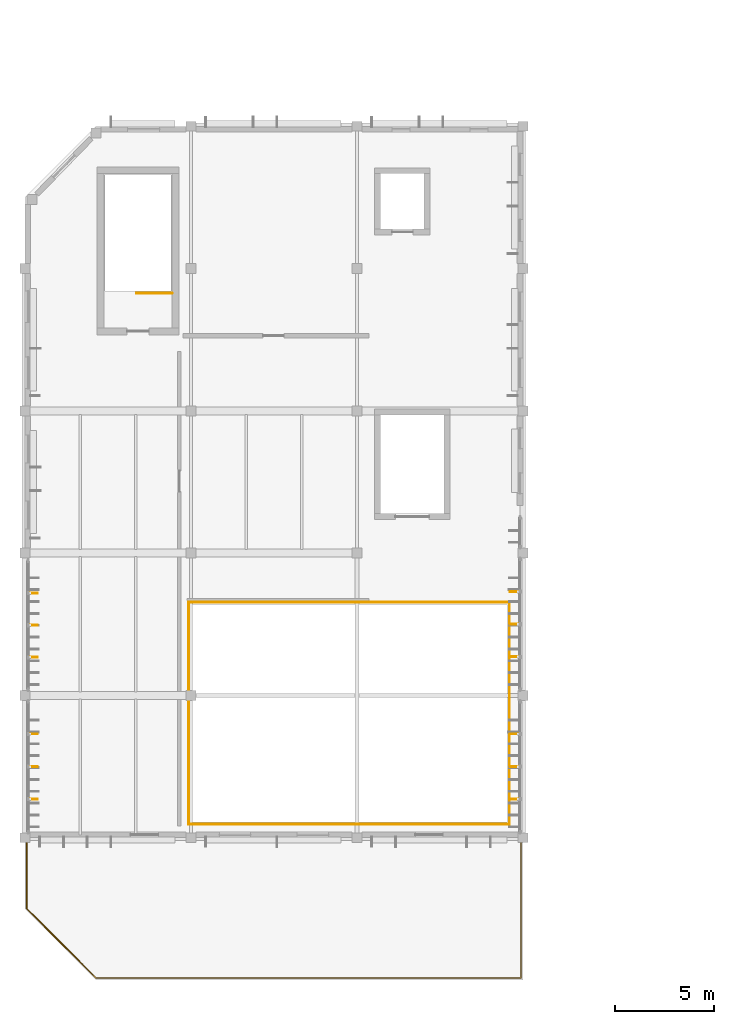
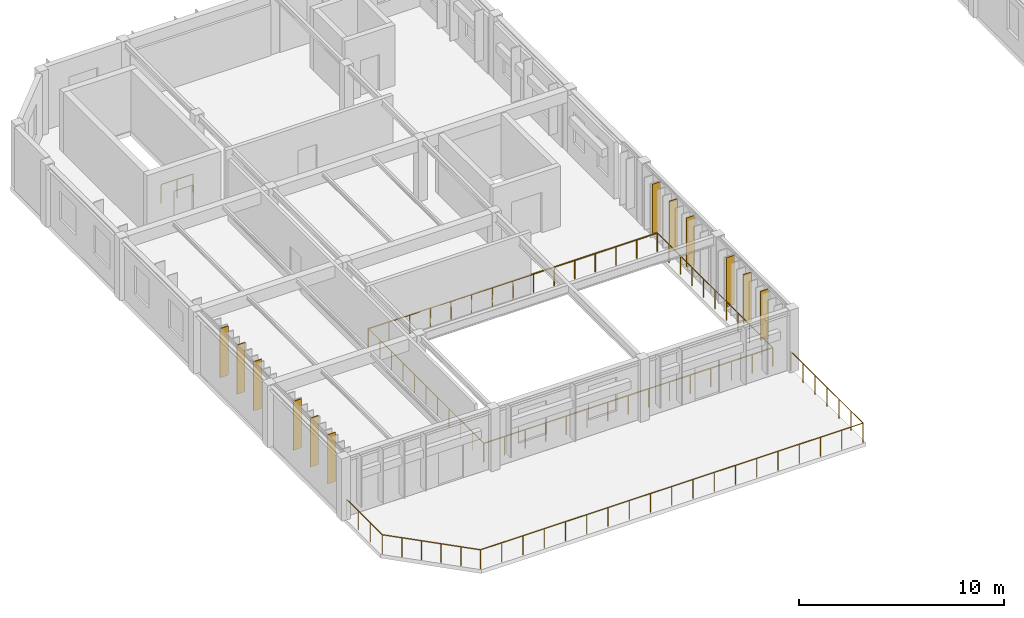
# One storey, part 38 of 44: 12 shading devices, 6 railings.
"""IFC4 building model written with IfcOpenShell, lengths in metres."""

import ifcopenshell
import ifcopenshell.guid

model = None  # the IFC model being written
_history = None  # IfcOwnerHistory: only IFC2X3 demands one
_inside = {}  # id of a spatial element -> (the spatial element, [elements in it])
_under = {}  # id of a project, library or spatial element -> (it, [spatial elements below it])
_declared = {}  # id of a project -> (the project, [libraries it declares])
_typed = {}  # id of a type object -> (the type object, [elements of that type])
_made_of = {}  # id of a material, layer set ... -> (it, [elements and type objects made of it])


def new_model(schema):
    """Start an empty IFC model of exactly this schema.

    Asked for "IFC4X3", IfcOpenShell would pick the latest addendum, in which some entities
    have other attributes; the version numbers below select the first issue.
    IFC2X3 requires an IfcOwnerHistory on every rooted entity: one is made here for all.
    """
    global model, _history
    if schema == "IFC4X3":
        model = ifcopenshell.file(schema_version=(4, 3, 0, 0))
    else:
        model = ifcopenshell.file(schema=schema)
    _inside.clear()
    _under.clear()
    _declared.clear()
    _typed.clear()
    _made_of.clear()
    _history = None
    if model.schema == "IFC2X3":
        org = make("IfcOrganization", Name="unknown")
        user = make(
            "IfcPersonAndOrganization",
            ThePerson=make("IfcPerson", FamilyName="unknown"),
            TheOrganization=org,
        )
        app = make(
            "IfcApplication",
            ApplicationDeveloper=org,
            Version="unknown",
            ApplicationFullName="unknown",
            ApplicationIdentifier="unknown",
        )
        _history = make(
            "IfcOwnerHistory",
            OwningUser=user,
            OwningApplication=app,
            ChangeAction="ADDED",
            CreationDate=0,
        )
    return model


def make(cls, **values):
    """One entity of the class cls with the attributes given. An attribute that is None is left unset."""
    return model.create_entity(
        cls, **{name: value for name, value in values.items() if value is not None}
    )


def rooted(cls, **values):
    """An entity with a GlobalId (a new one), such as an element, a storey or a relation."""
    return make(cls, GlobalId=ifcopenshell.guid.new(), OwnerHistory=_history, **values)


def si_unit(unit_type, name, prefix=None):
    """IfcSIUnit, for example si_unit("LENGTHUNIT", "METRE", prefix="MILLI")."""
    return make("IfcSIUnit", UnitType=unit_type, Prefix=prefix, Name=name)


def assignment(units):
    """IfcUnitAssignment: the units of a project."""
    return None if units is None else make("IfcUnitAssignment", Units=units)


def point(xyz):
    """IfcCartesianPoint."""
    return None if xyz is None else make("IfcCartesianPoint", Coordinates=xyz)


def direction(xyz):
    """IfcDirection."""
    return None if xyz is None else make("IfcDirection", DirectionRatios=xyz)


def frame(location, z_axis=None, x_axis=None):
    """IfcAxis2Placement3D, a coordinate frame: its origin and axes. An axis left out is left unset."""
    return make(
        "IfcAxis2Placement3D",
        Location=point(location),
        Axis=direction(z_axis),
        RefDirection=direction(x_axis),
    )


def frame_2d(location, x_axis=None):
    """IfcAxis2Placement2D, a coordinate frame in the plane: its origin and x axis."""
    return make(
        "IfcAxis2Placement2D", Location=point(location), RefDirection=direction(x_axis)
    )


def origin():
    """The frame at (0, 0, 0) with its axes left unset."""
    return frame((0.0, 0.0, 0.0))


def origin_2d():
    """The frame at (0, 0) in the plane with its x axis left unset."""
    return frame_2d((0.0, 0.0))


def place(relative_to, where):
    """IfcLocalPlacement: puts the frame where relative to a parent placement (None: the world)."""
    return make(
        "IfcLocalPlacement", PlacementRelTo=relative_to, RelativePlacement=where
    )


def context(
    kind, dimensions, precision=None, world=None, true_north=None, identifier=None
):
    """IfcGeometricRepresentationContext, for example the 3D "Model" context."""
    return make(
        "IfcGeometricRepresentationContext",
        ContextIdentifier=identifier,
        ContextType=kind,
        CoordinateSpaceDimension=dimensions,
        Precision=precision,
        WorldCoordinateSystem=world,
        TrueNorth=true_north,
    )


def subcontext(parent, identifier, kind, view, scale=None):
    """IfcGeometricRepresentationSubContext, for example "Body" below "Model"."""
    return make(
        "IfcGeometricRepresentationSubContext",
        ContextIdentifier=identifier,
        ContextType=kind,
        ParentContext=parent,
        TargetScale=scale,
        TargetView=view,
    )


def project(units=None, contexts=None):
    """IfcProject with its units and contexts."""
    return rooted(
        "IfcProject",
        Name="project",
        RepresentationContexts=contexts,
        UnitsInContext=assignment(units),
    )


def spatial(cls, under=None, at=None, **own):
    """A site, building, storey or space (cls), placed at a placement, below another one or the project."""
    s = rooted(cls, ObjectPlacement=at, **own)
    if under is not None:
        _under.setdefault(under.id(), (under, []))[1].append(s)
    return s


def profile(cls, at=None, kind="AREA", **sizes):
    """A parametric profile (cls). Its sizes go by their IFC names, for example OverallWidth=200.0."""
    return make(cls, ProfileType=kind, Position=at, **sizes)


def rectangle(**sizes):
    """IfcRectangleProfileDef."""
    return profile("IfcRectangleProfileDef", **sizes)


def circle(**sizes):
    """IfcCircleProfileDef."""
    return profile("IfcCircleProfileDef", **sizes)


def extrude(swept, where, along, depth):
    """IfcExtrudedAreaSolid: the profile swept, set in the frame where, extruded along a direction by depth."""
    return make(
        "IfcExtrudedAreaSolid",
        SweptArea=swept,
        Position=where,
        ExtrudedDirection=direction(along),
        Depth=depth,
    )


def shape(context_of_items, identifier, shape_type, items):
    """IfcShapeRepresentation: the items that make up one representation, for example the "Body"."""
    return make(
        "IfcShapeRepresentation",
        ContextOfItems=context_of_items,
        RepresentationIdentifier=identifier,
        RepresentationType=shape_type,
        Items=items,
    )


def material(Name=None, Category=None):
    """IfcMaterial."""
    return make("IfcMaterial", Name=Name, Category=Category)


def layer(
    of_material, thickness, ventilated=None, Name=None, Category=None, Priority=None
):
    """IfcMaterialLayer: one layer of a wall or slab, of a material (None: an air gap)."""
    return make(
        "IfcMaterialLayer",
        Material=of_material,
        LayerThickness=thickness,
        IsVentilated=ventilated,
        Name=Name,
        Category=Category,
        Priority=Priority,
    )


def layer_set(layers, Name=None):
    """IfcMaterialLayerSet."""
    return make("IfcMaterialLayerSet", MaterialLayers=layers, LayerSetName=Name)


def material_profile(
    of_material, cross_section, Name=None, Category=None, Priority=None
):
    """IfcMaterialProfile: a cross section and its material."""
    return make(
        "IfcMaterialProfile",
        Name=Name,
        Material=of_material,
        Profile=cross_section,
        Priority=Priority,
        Category=Category,
    )


def profile_set(profiles, Name=None, composite=None):
    """IfcMaterialProfileSet."""
    return make(
        "IfcMaterialProfileSet",
        Name=Name,
        MaterialProfiles=profiles,
        CompositeProfile=composite,
    )


def made_of(thing, what):
    """Note that an element or type object is made of a material, layer set ...; save() writes the relation."""
    if what is not None:
        _made_of.setdefault(what.id(), (what, []))[1].append(thing)
    return thing


def type_object(cls, material=None, **own):
    """A type object (cls), such as IfcWallType, which elements share."""
    return made_of(rooted(cls, **own), material)


def element(
    cls,
    number,
    at=None,
    inside=None,
    cuts=None,
    type_object=None,
    material=None,
    context=None,
    identifier="Body",
    shape_type=None,
    held_by="IfcProductDefinitionShape",
    body=None,
    shapes=None,
    **own,
):
    """One element of the class cls, such as IfcWall. Its Tag is "e" and its number.

    at: its placement. inside: the storey or other place that contains it. cuts: it is an
    opening in that element (IfcRelVoidsElement). A single representation is given by context,
    identifier, shape_type and body (its items); several are given by shapes. held_by: the class
    of the entity that holds the representations. save() writes the other relations.
    """
    e = rooted(cls, Tag="e%d" % number, ObjectPlacement=at, **own)
    if body is not None:
        shapes = [shape(context, identifier, shape_type, body)]
    if shapes is not None:
        e.Representation = make(held_by, Representations=shapes)
    if inside is not None:
        _inside.setdefault(inside.id(), (inside, []))[1].append(e)
    if cuts is not None:
        rooted(
            "IfcRelVoidsElement", RelatingBuildingElement=cuts, RelatedOpeningElement=e
        )
    if type_object is not None:
        _typed.setdefault(type_object.id(), (type_object, []))[1].append(e)
    return made_of(e, material)


def aggregate(whole, parts):
    """IfcRelAggregates: a whole, such as a stair, and the parts it consists of."""
    return rooted("IfcRelAggregates", RelatingObject=whole, RelatedObjects=parts)


def save(model, path):
    """Write the relations noted so far, then the file.

    IfcRelAggregates (storeys below a building ...), IfcRelContainedInSpatialStructure (elements
    in a storey), IfcRelDefinesByType, IfcRelAssociatesMaterial and IfcRelDeclares: one each for
    every whole, place, type object, material and project.
    """
    for whole, parts in _under.values():
        aggregate(whole, parts)
    for where, things in _inside.values():
        rooted(
            "IfcRelContainedInSpatialStructure",
            RelatedElements=things,
            RelatingStructure=where,
        )
    for kind, things in _typed.values():
        rooted("IfcRelDefinesByType", RelatedObjects=things, RelatingType=kind)
    for what, things in _made_of.values():
        rooted("IfcRelAssociatesMaterial", RelatedObjects=things, RelatingMaterial=what)
    for by, libraries in _declared.values():
        rooted("IfcRelDeclares", RelatingContext=by, RelatedDefinitions=libraries)
    model.write(path)


model = new_model("IFC4")

# Units and contexts
model_context = context("Model", 3, precision=1e-05, world=origin(), true_north=direction((0.0, 1.0)))
body_context = subcontext(model_context, "Body", "Model", "MODEL_VIEW")
ifc_project = project(units=[si_unit("LENGTHUNIT", "METRE"), si_unit("AREAUNIT", "SQUARE_METRE"), si_unit("VOLUMEUNIT", "CUBIC_METRE"), si_unit("PLANEANGLEUNIT", "RADIAN"), si_unit("MASSUNIT", "GRAM", prefix="KILO")], contexts=[model_context])

# Site, building, storey
site_placement = place(None, origin())
site = spatial("IfcSite", under=ifc_project, at=site_placement, CompositionType="ELEMENT")
building_placement = place(site_placement, origin())
building = spatial("IfcBuilding", under=site, at=building_placement, Name="Tazoul Stagehouse", CompositionType="ELEMENT")
storey_placement = place(building_placement, frame((0.0, 0.0, 13.199951171875)))
storey = spatial("IfcBuildingStorey", under=building, at=storey_placement, Name="L03", CompositionType="ELEMENT", Elevation=13.199951171875)

# Shading devices
ifc_material_1 = material(Name="Anodised Bronze Aluminium 6063-T6", Category="aluminium")
ifc_layer_1 = layer(ifc_material_1, 0.050048828125, Name="Anodised Bronze Aluminium 6063-T6")
ifc_layer_set_1 = layer_set([ifc_layer_1], Name="Anodised Bronze Aluminium 6063-T6")
shading_device_type_1 = type_object("IfcShadingDeviceType", Name="Angled Acoustic Sun-Screen Blade 460", PredefinedType="USERDEFINED", material=ifc_layer_set_1)
for number, where, z_axis, x_axis, name in (
    (1, (2.830078125, 53.75, 0.739990234375), (0.0, 0.0, 1.0), (0.0, 1.0, 0.0), "Shading Louvre FIN-02 CW-V6-W1-L03-B1-SHD01"),
    (2, (2.830078125, 57.050048828125, 0.739990234375), (0.0, 0.0, 1.0), (0.0, 1.0, 0.0), "Shading Louvre FIN-02 CW-V6-W1-L03-B1-SHD03"),
    (3, (2.830078125, 60.925048828125, 0.739990234375), (0.0, 0.0, 1.0), (0.0, 1.0, 0.0), "Shading Louvre FIN-02 CW-V6-W1-L03-B2-SHD01"),
    (4, (2.830078125, 64.175048828125, 0.739990234375), (0.0, 0.0, 1.0), (0.0, 1.0, 0.0), "Shading Louvre FIN-02 CW-V6-W1-L03-B2-SHD03"),
    (5, (27.169921875, 53.75, 0.739990234375), (0.0, 0.0, 1.0), (0.0, 1.0, 0.0), "Shading Louvre FIN-02 CW-V6-E1-L03-B1-SHD01"),
    (6, (27.169921875, 57.050048828125, 0.739990234375), (0.0, 0.0, 1.0), (0.0, 1.0, 0.0), "Shading Louvre FIN-02 CW-V6-E1-L03-B1-SHD03"),
    (7, (27.169921875, 60.949951171875, 0.739990234375), (0.0, 0.0, 1.0), (0.0, 1.0, 0.0), "Shading Louvre FIN-02 CW-V6-E1-L03-B2-SHD01"),
    (8, (27.169921875, 64.25, 0.739990234375), (0.0, 0.0, 1.0), (0.0, 1.0, 0.0), "Shading Louvre FIN-02 CW-V6-E1-L03-B2-SHD03"),
):
    element("IfcShadingDevice", number, at=place(storey_placement, frame(where, z_axis=z_axis, x_axis=x_axis)), inside=storey, type_object=shading_device_type_1, Name=name, ObjectType="FIN", PredefinedType="USERDEFINED", context=body_context, shape_type="SweptSolid", body=[
        extrude(rectangle(XDim=0.044921875, YDim=0.4599609375, at=origin_2d()), origin(), (0.0, 0.0, 1.0), 2.919921875),
    ])

# Railings
ifc_material_2 = material(Name="Brushed Stainless Steel 316L", Category="steel")
ifc_material_profile_1 = material_profile(ifc_material_2, circle(Radius=0.02392578125, at=origin_2d()), Name="SS RAIL D48")
ifc_profile_set_1 = profile_set([ifc_material_profile_1], Name="Brushed Stainless Steel 316L")
railing_type_1 = type_object("IfcRailingType", Name="Architectural Guardrail H1120", PredefinedType="GUARDRAIL", material=ifc_profile_set_1)
railing_1_placement = place(storey_placement, frame((9.85009765625, 79.35009765625, 0.0)))
element("IfcRailing", 9, at=railing_1_placement, inside=storey, type_object=railing_type_1, Name="L03 ST-06 top well guard 1", PredefinedType="GUARDRAIL", context=body_context, shape_type="SweptSolid", body=[
    extrude(circle(Radius=0.02392578125, at=origin_2d()), frame((0.0, 0.0, 1.09619140625), z_axis=(-1.0, 0.0, 0.0), x_axis=(0.0, -1.0, 0.0)), (0.0, 0.0, 1.0), 1.800048828125),
    extrude(circle(Radius=0.02099609375, at=origin_2d()), origin(), (0.0, 0.0, 1.0), 1.072021484375),
    extrude(circle(Radius=0.02099609375, at=origin_2d()), frame((-0.89990234375, 0.0, 0.0)), (0.0, 0.0, 1.0), 1.072021484375),
    extrude(circle(Radius=0.02099609375, at=origin_2d()), frame((-1.800048828125, 0.0, 0.0)), (0.0, 0.0, 1.0), 1.072021484375),
])
railing_2_placement = place(storey_placement, frame((10.679931640625, 52.47998046875, 0.0)))
element("IfcRailing", 10, at=railing_2_placement, inside=storey, type_object=railing_type_1, Name="L03 Open-Edge Guard GRD-01 (GRD-VOID2-S1)", PredefinedType="GUARDRAIL", context=body_context, shape_type="SweptSolid", body=[
    extrude(circle(Radius=0.02392578125, at=origin_2d()), frame((0.0, 0.0, 1.09619140625), z_axis=(1.0, 0.0, 0.0), x_axis=(0.0, 1.0, 0.0)), (0.0, 0.0, 1.0), 16.239990234375),
    extrude(circle(Radius=0.02099609375, at=origin_2d()), origin(), (0.0, 0.0, 1.0), 1.072021484375),
    extrude(circle(Radius=0.02099609375, at=origin_2d()), frame((1.159912109375, 0.0, 0.0)), (0.0, 0.0, 1.0), 1.072021484375),
    extrude(circle(Radius=0.02099609375, at=origin_2d()), frame((2.320068359375, 0.0, 0.0)), (0.0, 0.0, 1.0), 1.072021484375),
    extrude(circle(Radius=0.02099609375, at=origin_2d()), frame((3.47998046875, 0.0, 0.0)), (0.0, 0.0, 1.0), 1.072021484375),
    extrude(circle(Radius=0.02099609375, at=origin_2d()), frame((4.639892578125, 0.0, 0.0)), (0.0, 0.0, 1.0), 1.072021484375),
    extrude(circle(Radius=0.02099609375, at=origin_2d()), frame((5.800048828125, 0.0, 0.0)), (0.0, 0.0, 1.0), 1.072021484375),
    extrude(circle(Radius=0.02099609375, at=origin_2d()), frame((6.9599609375, 0.0, 0.0)), (0.0, 0.0, 1.0), 1.072021484375),
    extrude(circle(Radius=0.02099609375, at=origin_2d()), frame((8.1201171875, 0.0, 0.0)), (0.0, 0.0, 1.0), 1.072021484375),
    extrude(circle(Radius=0.02099609375, at=origin_2d()), frame((9.280029296875, 0.0, 0.0)), (0.0, 0.0, 1.0), 1.072021484375),
    extrude(circle(Radius=0.02099609375, at=origin_2d()), frame((10.43994140625, 0.0, 0.0)), (0.0, 0.0, 1.0), 1.072021484375),
    extrude(circle(Radius=0.02099609375, at=origin_2d()), frame((11.60009765625, 0.0, 0.0)), (0.0, 0.0, 1.0), 1.072021484375),
    extrude(circle(Radius=0.02099609375, at=origin_2d()), frame((12.760009765625, 0.0, 0.0)), (0.0, 0.0, 1.0), 1.072021484375),
    extrude(circle(Radius=0.02099609375, at=origin_2d()), frame((13.919921875, 0.0, 0.0)), (0.0, 0.0, 1.0), 1.072021484375),
    extrude(circle(Radius=0.02099609375, at=origin_2d()), frame((15.080078125, 0.0, 0.0)), (0.0, 0.0, 1.0), 1.072021484375),
    extrude(circle(Radius=0.02099609375, at=origin_2d()), frame((16.239990234375, 0.0, 0.0)), (0.0, 0.0, 1.0), 1.072021484375),
])
railing_3_placement = place(storey_placement, frame((26.919921875, 52.47998046875, 0.0)))
element("IfcRailing", 11, at=railing_3_placement, inside=storey, type_object=railing_type_1, Name="L03 Open-Edge Guard GRD-01 (GRD-VOID2-E1)", PredefinedType="GUARDRAIL", context=body_context, shape_type="SweptSolid", body=[
    extrude(circle(Radius=0.02392578125, at=origin_2d()), frame((0.0, 0.0, 1.09619140625), z_axis=(0.0, 1.0, 0.0), x_axis=(-1.0, 0.0, 0.0)), (0.0, 0.0, 1.0), 11.239990234375),
    extrude(circle(Radius=0.02099609375, at=origin_2d()), origin(), (0.0, 0.0, 1.0), 1.072021484375),
    extrude(circle(Radius=0.02099609375, at=origin_2d()), frame((0.0, 1.1240234375, 0.0)), (0.0, 0.0, 1.0), 1.072021484375),
    extrude(circle(Radius=0.02099609375, at=origin_2d()), frame((0.0, 2.248046875, 0.0)), (0.0, 0.0, 1.0), 1.072021484375),
    extrude(circle(Radius=0.02099609375, at=origin_2d()), frame((0.0, 3.3720703125, 0.0)), (0.0, 0.0, 1.0), 1.072021484375),
    extrude(circle(Radius=0.02099609375, at=origin_2d()), frame((0.0, 4.49609375, 0.0)), (0.0, 0.0, 1.0), 1.072021484375),
    extrude(circle(Radius=0.02099609375, at=origin_2d()), frame((0.0, 5.6201171875, 0.0)), (0.0, 0.0, 1.0), 1.072021484375),
    extrude(circle(Radius=0.02099609375, at=origin_2d()), frame((0.0, 6.743896484375, 0.0)), (0.0, 0.0, 1.0), 1.072021484375),
    extrude(circle(Radius=0.02099609375, at=origin_2d()), frame((0.0, 7.867919921875, 0.0)), (0.0, 0.0, 1.0), 1.072021484375),
    extrude(circle(Radius=0.02099609375, at=origin_2d()), frame((0.0, 8.991943359375, 0.0)), (0.0, 0.0, 1.0), 1.072021484375),
    extrude(circle(Radius=0.02099609375, at=origin_2d()), frame((0.0, 10.115966796875, 0.0)), (0.0, 0.0, 1.0), 1.072021484375),
    extrude(circle(Radius=0.02099609375, at=origin_2d()), frame((0.0, 11.239990234375, 0.0)), (0.0, 0.0, 1.0), 1.072021484375),
])
railing_4_placement = place(storey_placement, frame((26.919921875, 63.719970703125, 0.0)))
element("IfcRailing", 12, at=railing_4_placement, inside=storey, type_object=railing_type_1, Name="L03 Open-Edge Guard GRD-01 (GRD-VOID2-N1)", PredefinedType="GUARDRAIL", context=body_context, shape_type="SweptSolid", body=[
    extrude(circle(Radius=0.02392578125, at=origin_2d()), frame((0.0, 0.0, 1.09619140625), z_axis=(-1.0, 0.0, 0.0), x_axis=(0.0, -1.0, 0.0)), (0.0, 0.0, 1.0), 16.239990234375),
    extrude(circle(Radius=0.02099609375, at=origin_2d()), origin(), (0.0, 0.0, 1.0), 1.072021484375),
    extrude(circle(Radius=0.02099609375, at=origin_2d()), frame((-1.159912109375, 0.0, 0.0)), (0.0, 0.0, 1.0), 1.072021484375),
    extrude(circle(Radius=0.02099609375, at=origin_2d()), frame((-2.320068359375, 0.0, 0.0)), (0.0, 0.0, 1.0), 1.072021484375),
    extrude(circle(Radius=0.02099609375, at=origin_2d()), frame((-3.47998046875, 0.0, 0.0)), (0.0, 0.0, 1.0), 1.072021484375),
    extrude(circle(Radius=0.02099609375, at=origin_2d()), frame((-4.639892578125, 0.0, 0.0)), (0.0, 0.0, 1.0), 1.072021484375),
    extrude(circle(Radius=0.02099609375, at=origin_2d()), frame((-5.800048828125, 0.0, 0.0)), (0.0, 0.0, 1.0), 1.072021484375),
    extrude(circle(Radius=0.02099609375, at=origin_2d()), frame((-6.9599609375, 0.0, 0.0)), (0.0, 0.0, 1.0), 1.072021484375),
    extrude(circle(Radius=0.02099609375, at=origin_2d()), frame((-8.1201171875, 0.0, 0.0)), (0.0, 0.0, 1.0), 1.072021484375),
    extrude(circle(Radius=0.02099609375, at=origin_2d()), frame((-9.280029296875, 0.0, 0.0)), (0.0, 0.0, 1.0), 1.072021484375),
    extrude(circle(Radius=0.02099609375, at=origin_2d()), frame((-10.43994140625, 0.0, 0.0)), (0.0, 0.0, 1.0), 1.072021484375),
    extrude(circle(Radius=0.02099609375, at=origin_2d()), frame((-11.60009765625, 0.0, 0.0)), (0.0, 0.0, 1.0), 1.072021484375),
    extrude(circle(Radius=0.02099609375, at=origin_2d()), frame((-12.760009765625, 0.0, 0.0)), (0.0, 0.0, 1.0), 1.072021484375),
    extrude(circle(Radius=0.02099609375, at=origin_2d()), frame((-13.919921875, 0.0, 0.0)), (0.0, 0.0, 1.0), 1.072021484375),
    extrude(circle(Radius=0.02099609375, at=origin_2d()), frame((-15.080078125, 0.0, 0.0)), (0.0, 0.0, 1.0), 1.072021484375),
    extrude(circle(Radius=0.02099609375, at=origin_2d()), frame((-16.239990234375, 0.0, 0.0)), (0.0, 0.0, 1.0), 1.072021484375),
])
railing_5_placement = place(storey_placement, frame((10.679931640625, 63.719970703125, 0.0)))
element("IfcRailing", 13, at=railing_5_placement, inside=storey, type_object=railing_type_1, Name="L03 Open-Edge Guard GRD-01 (GRD-VOID2-W1)", PredefinedType="GUARDRAIL", context=body_context, shape_type="SweptSolid", body=[
    extrude(circle(Radius=0.02392578125, at=origin_2d()), frame((0.0, 0.0, 1.09619140625), z_axis=(0.0, -1.0, 0.0), x_axis=(1.0, 0.0, 0.0)), (0.0, 0.0, 1.0), 11.239990234375),
    extrude(circle(Radius=0.02099609375, at=origin_2d()), origin(), (0.0, 0.0, 1.0), 1.072021484375),
    extrude(circle(Radius=0.02099609375, at=origin_2d()), frame((0.0, -1.1240234375, 0.0)), (0.0, 0.0, 1.0), 1.072021484375),
    extrude(circle(Radius=0.02099609375, at=origin_2d()), frame((0.0, -2.248046875, 0.0)), (0.0, 0.0, 1.0), 1.072021484375),
    extrude(circle(Radius=0.02099609375, at=origin_2d()), frame((0.0, -3.3720703125, 0.0)), (0.0, 0.0, 1.0), 1.072021484375),
    extrude(circle(Radius=0.02099609375, at=origin_2d()), frame((0.0, -4.49609375, 0.0)), (0.0, 0.0, 1.0), 1.072021484375),
    extrude(circle(Radius=0.02099609375, at=origin_2d()), frame((0.0, -5.6201171875, 0.0)), (0.0, 0.0, 1.0), 1.072021484375),
    extrude(circle(Radius=0.02099609375, at=origin_2d()), frame((0.0, -6.743896484375, 0.0)), (0.0, 0.0, 1.0), 1.072021484375),
    extrude(circle(Radius=0.02099609375, at=origin_2d()), frame((0.0, -7.867919921875, 0.0)), (0.0, 0.0, 1.0), 1.072021484375),
    extrude(circle(Radius=0.02099609375, at=origin_2d()), frame((0.0, -8.991943359375, 0.0)), (0.0, 0.0, 1.0), 1.072021484375),
    extrude(circle(Radius=0.02099609375, at=origin_2d()), frame((0.0, -10.115966796875, 0.0)), (0.0, 0.0, 1.0), 1.072021484375),
    extrude(circle(Radius=0.02099609375, at=origin_2d()), frame((0.0, -11.239990234375, 0.0)), (0.0, 0.0, 1.0), 1.072021484375),
])
ifc_material_profile_2 = material_profile(ifc_material_2, circle(Radius=0.027099609375, at=origin_2d()), Name="SS RAIL D54")
ifc_profile_set_2 = profile_set([ifc_material_profile_2], Name="Brushed Stainless Steel 316L")
railing_type_2 = type_object("IfcRailingType", Name="Terrace Acoustic Glass-and-Steel Guard H1150", PredefinedType="GUARDRAIL", material=ifc_profile_set_2)
railing_6_placement = place(storey_placement, frame((2.5, 51.699951171875, 0.0)))
element("IfcRailing", 14, at=railing_6_placement, inside=storey, type_object=railing_type_2, Name="L03 Black-Box Faceted Terrace Guard GRD-02", PredefinedType="GUARDRAIL", context=body_context, shape_type="SweptSolid", body=[
    extrude(circle(Radius=0.02392578125, at=origin_2d()), frame((0.0, 0.0, 1.1259765625), z_axis=(0.0, -1.0, 0.0), x_axis=(1.0, 0.0, 0.0)), (0.0, 0.0, 1.0), 3.5),
    extrude(circle(Radius=0.02392578125, at=origin_2d()), frame((0.0, -3.5, 1.1259765625), z_axis=(0.707106781187, -0.707106781187, 0.0), x_axis=(0.707106781187, 0.707106781187, 0.0)), (0.0, 0.0, 1.0), 4.94970703125),
    extrude(circle(Radius=0.02392578125, at=origin_2d()), frame((3.5, -7.0, 1.1259765625), z_axis=(1.0, 0.0, 0.0), x_axis=(0.0, 1.0, 0.0)), (0.0, 0.0, 1.0), 21.5),
    extrude(circle(Radius=0.02392578125, at=origin_2d()), frame((25.0, -7.0, 1.1259765625), z_axis=(0.0, 1.0, 0.0), x_axis=(-1.0, 0.0, 0.0)), (0.0, 0.0, 1.0), 7.0),
    extrude(circle(Radius=0.02099609375, at=origin_2d()), origin(), (0.0, 0.0, 1.0), 1.101806640625),
    extrude(circle(Radius=0.02099609375, at=origin_2d()), frame((0.0, -1.166748046875, 0.0)), (0.0, 0.0, 1.0), 1.101806640625),
    extrude(circle(Radius=0.02099609375, at=origin_2d()), frame((0.0, -2.333251953125, 0.0)), (0.0, 0.0, 1.0), 1.101806640625),
    extrude(circle(Radius=0.02099609375, at=origin_2d()), frame((0.0, -3.5, 0.0)), (0.0, 0.0, 1.0), 1.101806640625),
    extrude(circle(Radius=0.02099609375, at=origin_2d()), frame((0.699951171875, -4.199951171875, 0.0)), (0.0, 0.0, 1.0), 1.101806640625),
    extrude(circle(Radius=0.02099609375, at=origin_2d()), frame((1.39990234375, -4.89990234375, 0.0)), (0.0, 0.0, 1.0), 1.101806640625),
    extrude(circle(Radius=0.02099609375, at=origin_2d()), frame((2.10009765625, -5.60009765625, 0.0)), (0.0, 0.0, 1.0), 1.101806640625),
    extrude(circle(Radius=0.02099609375, at=origin_2d()), frame((2.800048828125, -6.300048828125, 0.0)), (0.0, 0.0, 1.0), 1.101806640625),
    extrude(circle(Radius=0.02099609375, at=origin_2d()), frame((3.5, -7.0, 0.0)), (0.0, 0.0, 1.0), 1.101806640625),
    extrude(circle(Radius=0.02099609375, at=origin_2d()), frame((4.6943359375, -7.0, 0.0)), (0.0, 0.0, 1.0), 1.101806640625),
    extrude(circle(Radius=0.02099609375, at=origin_2d()), frame((5.888916015625, -7.0, 0.0)), (0.0, 0.0, 1.0), 1.101806640625),
    extrude(circle(Radius=0.02099609375, at=origin_2d()), frame((7.083251953125, -7.0, 0.0)), (0.0, 0.0, 1.0), 1.101806640625),
    extrude(circle(Radius=0.02099609375, at=origin_2d()), frame((8.27783203125, -7.0, 0.0)), (0.0, 0.0, 1.0), 1.101806640625),
    extrude(circle(Radius=0.02099609375, at=origin_2d()), frame((9.47216796875, -7.0, 0.0)), (0.0, 0.0, 1.0), 1.101806640625),
    extrude(circle(Radius=0.02099609375, at=origin_2d()), frame((10.666748046875, -7.0, 0.0)), (0.0, 0.0, 1.0), 1.101806640625),
    extrude(circle(Radius=0.02099609375, at=origin_2d()), frame((11.861083984375, -7.0, 0.0)), (0.0, 0.0, 1.0), 1.101806640625),
    extrude(circle(Radius=0.02099609375, at=origin_2d()), frame((13.0556640625, -7.0, 0.0)), (0.0, 0.0, 1.0), 1.101806640625),
    extrude(circle(Radius=0.02099609375, at=origin_2d()), frame((14.25, -7.0, 0.0)), (0.0, 0.0, 1.0), 1.101806640625),
    extrude(circle(Radius=0.02099609375, at=origin_2d()), frame((15.4443359375, -7.0, 0.0)), (0.0, 0.0, 1.0), 1.101806640625),
    extrude(circle(Radius=0.02099609375, at=origin_2d()), frame((16.638916015625, -7.0, 0.0)), (0.0, 0.0, 1.0), 1.101806640625),
    extrude(circle(Radius=0.02099609375, at=origin_2d()), frame((17.833251953125, -7.0, 0.0)), (0.0, 0.0, 1.0), 1.101806640625),
    extrude(circle(Radius=0.02099609375, at=origin_2d()), frame((19.02783203125, -7.0, 0.0)), (0.0, 0.0, 1.0), 1.101806640625),
    extrude(circle(Radius=0.02099609375, at=origin_2d()), frame((20.22216796875, -7.0, 0.0)), (0.0, 0.0, 1.0), 1.101806640625),
    extrude(circle(Radius=0.02099609375, at=origin_2d()), frame((21.416748046875, -7.0, 0.0)), (0.0, 0.0, 1.0), 1.101806640625),
    extrude(circle(Radius=0.02099609375, at=origin_2d()), frame((22.611083984375, -7.0, 0.0)), (0.0, 0.0, 1.0), 1.101806640625),
    extrude(circle(Radius=0.02099609375, at=origin_2d()), frame((23.8056640625, -7.0, 0.0)), (0.0, 0.0, 1.0), 1.101806640625),
    extrude(circle(Radius=0.02099609375, at=origin_2d()), frame((25.0, -7.0, 0.0)), (0.0, 0.0, 1.0), 1.101806640625),
    extrude(circle(Radius=0.02099609375, at=origin_2d()), frame((25.0, -5.833251953125, 0.0)), (0.0, 0.0, 1.0), 1.101806640625),
    extrude(circle(Radius=0.02099609375, at=origin_2d()), frame((25.0, -4.666748046875, 0.0)), (0.0, 0.0, 1.0), 1.101806640625),
    extrude(circle(Radius=0.02099609375, at=origin_2d()), frame((25.0, -3.5, 0.0)), (0.0, 0.0, 1.0), 1.101806640625),
    extrude(circle(Radius=0.02099609375, at=origin_2d()), frame((25.0, -2.333251953125, 0.0)), (0.0, 0.0, 1.0), 1.101806640625),
    extrude(circle(Radius=0.02099609375, at=origin_2d()), frame((25.0, -1.166748046875, 0.0)), (0.0, 0.0, 1.0), 1.101806640625),
    extrude(circle(Radius=0.02099609375, at=origin_2d()), frame((25.0, 0.0, 0.0)), (0.0, 0.0, 1.0), 1.101806640625),
])

# Shading devices
ifc_layer_2 = layer(ifc_material_1, 0.044921875, Name="Anodised Bronze Aluminium 6063-T6")
ifc_layer_set_2 = layer_set([ifc_layer_2], Name="Anodised Bronze Aluminium 6063-T6")
shading_device_type_2 = type_object("IfcShadingDeviceType", Name="Vertical Extruded Terracotta-Bronze Louvre 460", PredefinedType="JALOUSIE", material=ifc_layer_set_2)
for number, where, z_axis, x_axis, name in (
    (15, (2.830078125, 55.39990234375, 0.739990234375), (0.0, 0.0, 1.0), (0.0, 1.0, 0.0), "Shading Louvre FIN-01 CW-V6-W1-L03-B1-SHD02"),
    (16, (2.830078125, 62.550048828125, 0.739990234375), (0.0, 0.0, 1.0), (0.0, 1.0, 0.0), "Shading Louvre FIN-01 CW-V6-W1-L03-B2-SHD02"),
    (17, (27.169921875, 55.39990234375, 0.739990234375), (0.0, 0.0, 1.0), (0.0, 1.0, 0.0), "Shading Louvre FIN-01 CW-V6-E1-L03-B1-SHD02"),
    (18, (27.169921875, 62.60009765625, 0.739990234375), (0.0, 0.0, 1.0), (0.0, 1.0, 0.0), "Shading Louvre FIN-01 CW-V6-E1-L03-B2-SHD02"),
):
    element("IfcShadingDevice", number, at=place(storey_placement, frame(where, z_axis=z_axis, x_axis=x_axis)), inside=storey, type_object=shading_device_type_2, Name=name, PredefinedType="JALOUSIE", context=body_context, shape_type="SweptSolid", body=[
        extrude(rectangle(XDim=0.044921875, YDim=0.4599609375, at=origin_2d()), origin(), (0.0, 0.0, 1.0), 2.919921875),
    ])

save(model, "model.ifc")
